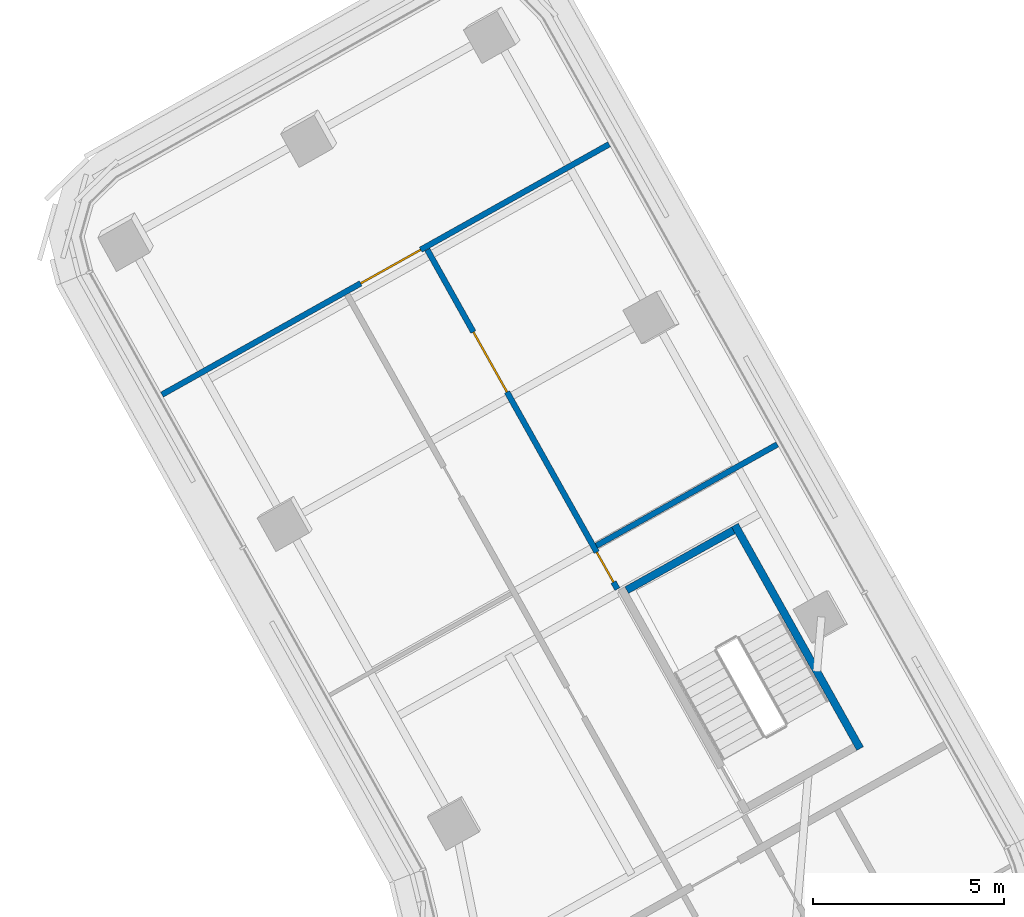
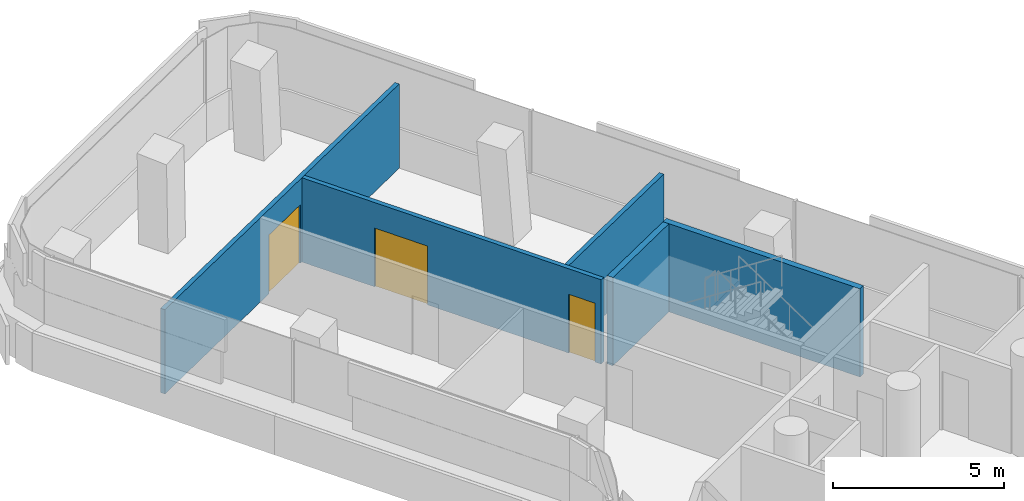
# One storey, part 25 of 34: 5 walls, 3 doors, 3 openings.
"""IFC4 building model written with IfcOpenShell, lengths in metres."""

from ifc_helpers import new_model, si_unit, direction, frame, frame_2d, origin, place, context, subcontext, project, spatial, polyline, rectangle, outline, extrude, material, layer, layer_set, type_object, element, fill, save


model = new_model("IFC4")

# Units and contexts
model_context = context("Model", 3, precision=1e-05, world=origin(), true_north=direction((0.0, 1.0)))
body_context = subcontext(model_context, "Body", "Model", "MODEL_VIEW")
ifc_project = project(units=[si_unit("LENGTHUNIT", "METRE"), si_unit("AREAUNIT", "SQUARE_METRE"), si_unit("VOLUMEUNIT", "CUBIC_METRE"), si_unit("PLANEANGLEUNIT", "RADIAN"), si_unit("MASSUNIT", "GRAM", prefix="KILO")], contexts=[model_context])

# Site, building, storey
site_placement = place(None, origin())
site = spatial("IfcSite", under=ifc_project, at=site_placement, CompositionType="ELEMENT")
building_placement = place(site_placement, origin())
building = spatial("IfcBuilding", under=site, at=building_placement, Name="Tamarind Cross Interchange Tower", CompositionType="ELEMENT")
storey_placement = place(building_placement, frame((0.0, 0.0, 140.5)))
storey = spatial("IfcBuildingStorey", under=building, at=storey_placement, Name="L34", CompositionType="ELEMENT", Elevation=140.5)

# Wall, openings, doors
ifc_material_1 = material(Name="Gypsum board partition on steel studs", Category="steel")
ifc_layer_1 = layer(ifc_material_1, 0.14990234375)
ifc_layer_set_1 = layer_set([ifc_layer_1], Name="Gypsum board partition on steel studs")
wall_type_1 = type_object("IfcWallType", Name="Partition 150 mm EI 120", PredefinedType="PARTITIONING", material=ifc_layer_set_1)
wall_1_placement = place(storey_placement, frame((-9.56689453125, 41.5361328125, 0.0), z_axis=(0.0, 0.0, 1.0), x_axis=(0.488684435058, -0.872460613972, 0.0)))
wall_1 = element("IfcWall", 1, at=wall_1_placement, inside=storey, type_object=wall_type_1, Name="Partition L34-009", PredefinedType="PARTITIONING", context=body_context, shape_type="SweptSolid", body=[
    extrude(rectangle(XDim=10.17919921875, YDim=0.14990234375, at=frame_2d((5.089599609375, 0.0))), origin(), (0.0, 0.0, 1.0), 3.010009765625),
])
opening_1_placement = place(wall_1_placement, frame((2.469970703125, 0.0, 0.0)))
opening_1 = element("IfcOpeningElement", 2, at=opening_1_placement, cuts=wall_1, Name="Opening D06", PredefinedType="OPENING", context=body_context, shape_type="SweptSolid", body=[
    extrude(rectangle(XDim=1.800048828125, YDim=2.10009765625, at=frame_2d((0.89990234375, 1.050048828125))), frame((0.0, 0.0849609375, 0.0), z_axis=(0.0, -1.0, 0.0), x_axis=(1.0, 0.0, 0.0)), (0.0, 0.0, 1.0), 0.169921875),
])
opening_2_placement = place(wall_1_placement, frame((9.06982421875, 0.0, 0.0)))
opening_2 = element("IfcOpeningElement", 3, at=opening_2_placement, cuts=wall_1, Name="Opening D07", PredefinedType="OPENING", context=body_context, shape_type="SweptSolid", body=[
    extrude(rectangle(XDim=0.89990234375, YDim=2.10009765625, at=frame_2d((0.449951171875, 1.050048828125))), frame((0.0, 0.0849609375, 0.0), z_axis=(0.0, -1.0, 0.0), x_axis=(1.0, 0.0, 0.0)), (0.0, 0.0, 1.0), 0.169921875),
])
ifc_material_2 = material(Name="Fire-resisting door set")
door_type_1 = type_object("IfcDoorType", Name="Interior door 1800 x 2100 FD60S", OperationType="DOUBLE_DOOR_SINGLE_SWING", PredefinedType="DOOR", material=ifc_material_2)
door_1_placement = place(opening_1_placement, origin())
door_1 = element("IfcDoor", 4, at=door_1_placement, inside=storey, type_object=door_type_1, Name="Door D06", OperationType="DOUBLE_DOOR_SINGLE_SWING", OverallHeight=2.10009765625, OverallWidth=1.800048828125, PredefinedType="DOOR", context=body_context, shape_type="SweptSolid", body=[
    extrude(rectangle(XDim=1.800048828125, YDim=2.10009765625, at=frame_2d((0.89990234375, 1.050048828125))), frame((0.0, 0.02490234375, 0.0), z_axis=(0.0, -1.0, 0.0), x_axis=(1.0, 0.0, 0.0)), (0.0, 0.0, 1.0), 0.050048828125),
])
fill(opening_1, door_1)
door_type_2 = type_object("IfcDoorType", Name="Interior door 900 x 2100 FD60S", OperationType="SINGLE_SWING_LEFT", PredefinedType="DOOR", material=ifc_material_2)
door_2_placement = place(opening_2_placement, origin())
door_2 = element("IfcDoor", 5, at=door_2_placement, inside=storey, type_object=door_type_2, Name="Door D07", OperationType="SINGLE_SWING_LEFT", OverallHeight=2.10009765625, OverallWidth=0.89990234375, PredefinedType="DOOR", context=body_context, shape_type="SweptSolid", body=[
    extrude(rectangle(XDim=0.89990234375, YDim=2.10009765625, at=frame_2d((0.449951171875, 1.050048828125))), frame((0.0, 0.02490234375, 0.0), z_axis=(0.0, -1.0, 0.0), x_axis=(1.0, 0.0, 0.0)), (0.0, 0.0, 1.0), 0.050048828125),
])
fill(opening_2, door_2)

# Wall, opening, door
wall_2_placement = place(storey_placement, frame((-16.5048828125, 37.74267578125, 0.0), z_axis=(0.0, 0.0, 1.0), x_axis=(0.872533964635, 0.488553457217, 0.0)))
wall_2 = element("IfcWall", 6, at=wall_2_placement, inside=storey, type_object=wall_type_1, Name="Partition L34-047", PredefinedType="PARTITIONING", context=body_context, shape_type="SweptSolid", body=[
    extrude(rectangle(XDim=13.405517578125, YDim=0.14990234375, at=frame_2d((6.70263671875, 0.0))), origin(), (0.0, 0.0, 1.0), 3.010009765625),
])
opening_3_placement = place(wall_2_placement, frame((5.956787109375, 0.0, 0.0)))
opening_3 = element("IfcOpeningElement", 7, at=opening_3_placement, cuts=wall_2, Name="Opening D30", PredefinedType="OPENING", context=body_context, shape_type="SweptSolid", body=[
    extrude(rectangle(XDim=1.800048828125, YDim=2.10009765625, at=frame_2d((0.89990234375, 1.050048828125))), frame((0.0, 0.0849609375, 0.0), z_axis=(0.0, -1.0, 0.0), x_axis=(1.0, 0.0, 0.0)), (0.0, 0.0, 1.0), 0.169921875),
])
door_3_placement = place(opening_3_placement, origin())
door_3 = element("IfcDoor", 8, at=door_3_placement, inside=storey, type_object=door_type_1, Name="Door D30", OperationType="DOUBLE_DOOR_SINGLE_SWING", OverallHeight=2.10009765625, OverallWidth=1.800048828125, PredefinedType="DOOR", context=body_context, shape_type="SweptSolid", body=[
    extrude(rectangle(XDim=1.800048828125, YDim=2.10009765625, at=frame_2d((0.89990234375, 1.050048828125))), frame((0.0, 0.02490234375, 0.0), z_axis=(0.0, -1.0, 0.0), x_axis=(1.0, 0.0, 0.0)), (0.0, 0.0, 1.0), 0.050048828125),
])
fill(opening_3, door_3)

# Walls
wall_3_placement = place(storey_placement, frame((-5.142578125, 33.79052734375, 0.0), z_axis=(0.0, 0.0, 1.0), x_axis=(0.872496037143, 0.488621187803, 0.0)))
element("IfcWall", 9, at=wall_3_placement, inside=storey, type_object=wall_type_1, Name="Partition L34-050", PredefinedType="PARTITIONING", context=body_context, shape_type="SweptSolid", body=[
    extrude(rectangle(XDim=5.423828125, YDim=0.14990234375, at=frame_2d((2.7119140625, 0.0))), origin(), (0.0, 0.0, 1.0), 3.010009765625),
])
ifc_material_3 = material(Name="Concrete C40", Category="concrete")
ifc_layer_2 = layer(ifc_material_3, 0.199951171875)
ifc_layer_set_2 = layer_set([ifc_layer_2], Name="Concrete C40")
wall_type_2 = type_object("IfcWallType", Name="Stair shaft wall 200 mm Concrete C40", PredefinedType="SHEAR", material=ifc_layer_set_2)
wall_4_placement = place(storey_placement, frame((1.7548828125, 28.484619140625, -0.139892578125), z_axis=(0.0, 0.0, 1.0), x_axis=(-0.488684367195, 0.872460651983, 0.0)))
element("IfcWall", 10, at=wall_4_placement, inside=storey, type_object=wall_type_2, Name="Core wall CWL-L34-ST4-C", PredefinedType="SHEAR", context=body_context, shape_type="SweptSolid", body=[
    extrude(rectangle(XDim=6.699951171875, YDim=0.199951171875, at=frame_2d((3.35009765625, 0.0))), origin(), (0.0, 0.0, 1.0), 3.14990234375),
])
wall_5_placement = place(storey_placement, frame((0.0, 0.0, -0.139892578125)))
element("IfcWall", 11, at=wall_5_placement, inside=storey, type_object=wall_type_2, Name="Core wall CWL-L34-ST4-CF", PredefinedType="SHEAR", context=body_context, shape_type="SweptSolid", body=[
    extrude(outline(polyline([(-1.5087890625, 34.106689453125), (-1.606689453125, 34.28125), (-4.3984375, 32.71728515625), (-4.30078125, 32.54296875), (-1.5087890625, 34.106689453125)])), origin(), (0.0, 0.0, 1.0), 3.14990234375),
])

save(model, "model.ifc")
